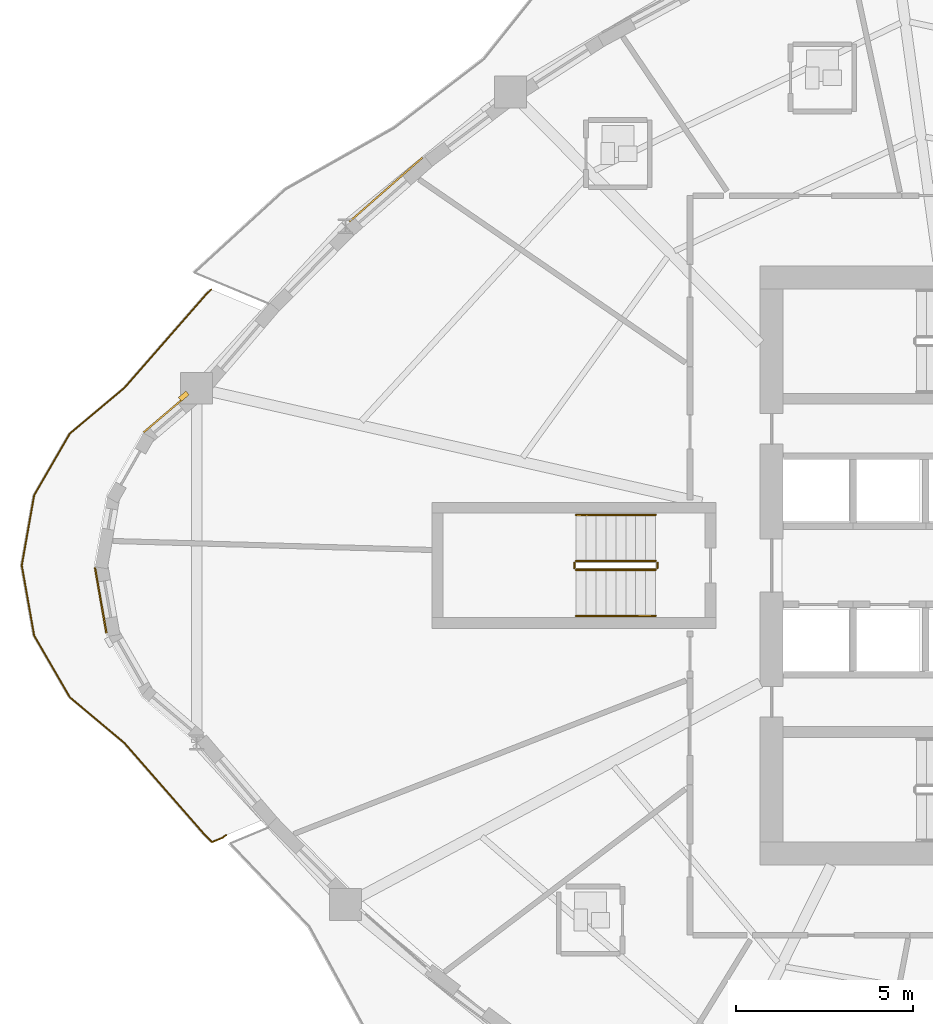
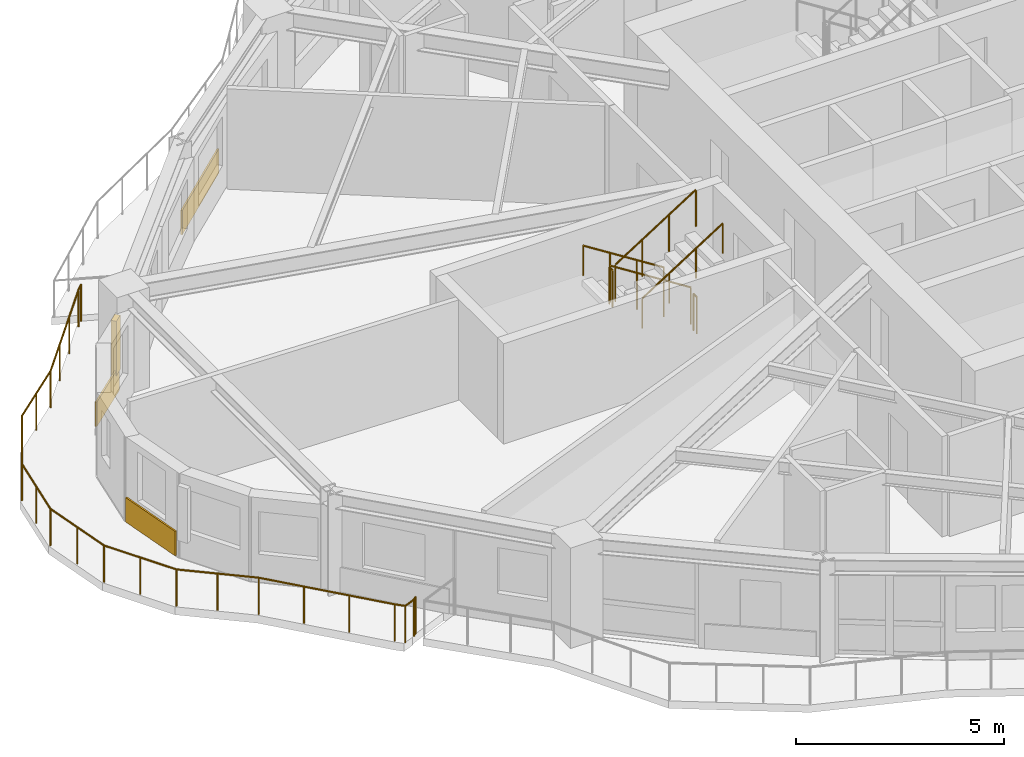
# One storey, part 12 of 15: 7 railings, 3 coverings, 1 shading device.
"""IFC4 building model written with IfcOpenShell, lengths in metres."""

from ifc_helpers import new_model, si_unit, direction, frame, origin, origin_2d, place, context, subcontext, project, spatial, rectangle, circle, extrude, source, transform, mapped, material, layer, layer_set, type_object, element, save


model = new_model("IFC4")

# Units and contexts
model_context = context("Model", 3, precision=1e-05, world=origin(), true_north=direction((0.0, 1.0)))
body_context = subcontext(model_context, "Body", "Model", "MODEL_VIEW")
ifc_project = project(units=[si_unit("LENGTHUNIT", "METRE"), si_unit("AREAUNIT", "SQUARE_METRE"), si_unit("VOLUMEUNIT", "CUBIC_METRE"), si_unit("PLANEANGLEUNIT", "RADIAN"), si_unit("MASSUNIT", "GRAM", prefix="KILO")], contexts=[model_context])

# Site, building, storey
site_placement = place(None, origin())
site = spatial("IfcSite", under=ifc_project, at=site_placement, CompositionType="ELEMENT")
building_placement = place(site_placement, origin())
building = spatial("IfcBuilding", under=site, at=building_placement, Name="Qafzar Sky-Pleat Residences", CompositionType="ELEMENT")
storey_placement = place(building_placement, frame((0.0, 0.0, 70.39990234375)))
storey = spatial("IfcBuildingStorey", under=building, at=storey_placement, Name="L20", CompositionType="ELEMENT", Elevation=70.39990234375)

# Shading device
ifc_material_1 = material(Name="Honed Riyadh limestone solar fin", Category="masonry")
ifc_layer_1 = layer(ifc_material_1, 0.139892578125)
ifc_layer_set_1 = layer_set([ifc_layer_1], Name="Honed Riyadh limestone solar fin")
shading_device_type = type_object("IfcShadingDeviceType", Name="SHD-FIN-STONE", PredefinedType="SHUTTER", material=ifc_layer_set_1)
shared_shape_1 = source(origin(), body_context, "Body", "SweptSolid", [
    extrude(rectangle(XDim=0.139892578125, YDim=0.280029296875, at=origin_2d()), origin(), (0.0, 0.0, 1.0), 1.60009765625),
])
shading_device_placement = place(storey_placement, frame((7.893798828125, 30.773681640625, 0.60009765625), z_axis=(0.0, 0.0, 1.0), x_axis=(-0.648553503037, 0.761169070377, 0.0)))
element("IfcShadingDevice", 1, at=shading_device_placement, inside=storey, type_object=shading_device_type, Name="L20 Limestone Solar Fin 1", PredefinedType="SHUTTER", context=body_context, shape_type="MappedRepresentation", body=[
    mapped(shared_shape_1, transform((0.0, 0.0, 0.0), x_axis=(1.0, 0.0, 0.0), y_axis=(0.0, 1.0, 0.0), z_axis=(0.0, 0.0, 1.0), scale=1.0)),
])

# Railing
ifc_material_2 = material(Name="Laminated glass and bronze steel balustrade", Category="steel")
railing_type_1 = type_object("IfcRailingType", Name="RAIL-BAL-1100", PredefinedType="BALUSTRADE", material=ifc_material_2)
shared_shape_2 = source(origin(), body_context, "Body", "SweptSolid", [
    extrude(circle(Radius=0.02392578125, at=origin_2d()), frame((0.0, 0.0, 1.076171875), z_axis=(-0.904357603074, -0.42677549808, 0.0), x_axis=(0.42677549808, -0.904357603074, 0.0)), (0.0, 0.0, 1.0), 0.02392578125),
    extrude(circle(Radius=0.02392578125, at=origin_2d()), frame((-0.021728515625, -0.01025390625, 1.076171875), z_axis=(-0.853033663852, -0.521855888474, 0.0), x_axis=(0.521855888474, -0.853033663852, 0.0)), (0.0, 0.0, 1.0), 0.0244140625),
    extrude(circle(Radius=0.02392578125, at=origin_2d()), frame((-0.04248046875, -0.02294921875, 1.076171875), z_axis=(-0.809610443394, -0.586967571461, 0.0), x_axis=(0.586967571461, -0.809610443394, 0.0)), (0.0, 0.0, 1.0), 0.024169921875),
    extrude(circle(Radius=0.02392578125, at=origin_2d()), frame((-0.06201171875, -0.037109375, 1.076171875), z_axis=(-0.74129840932, -0.671175586817, 0.0), x_axis=(0.671175586817, -0.74129840932, 0.0)), (0.0, 0.0, 1.0), 0.0244140625),
    extrude(circle(Radius=0.02392578125, at=origin_2d()), frame((-0.080078125, -0.053466796875, 1.076171875), z_axis=(-0.675724628517, -0.737154140201, 0.0), x_axis=(0.737154140201, -0.675724628517, 0.0)), (0.0, 0.0, 1.0), 0.019775390625),
    extrude(circle(Radius=0.02392578125, at=origin_2d()), frame((-0.093505859375, -0.068115234375, 1.076171875), z_axis=(-0.926910604457, -0.375282202276, 0.0), x_axis=(0.375282202276, -0.926910604457, 0.0)), (0.0, 0.0, 1.0), 0.3349609375),
    extrude(circle(Radius=0.02392578125, at=origin_2d()), frame((-0.404052734375, -0.19384765625, 1.076171875), z_axis=(-0.708936284999, 0.705272531588, 0.0), x_axis=(-0.705272531588, -0.708936284999, 0.0)), (0.0, 0.0, 1.0), 0.2666015625),
    extrude(circle(Radius=0.02392578125, at=origin_2d()), frame((-0.593017578125, -0.005859375, 1.076171875), z_axis=(-0.658289629089, 0.752764746939, 0.0), x_axis=(-0.752764746939, -0.658289629089, 0.0)), (0.0, 0.0, 1.0), 3.45751953125),
    extrude(circle(Radius=0.02392578125, at=origin_2d()), frame((-2.869140625, 2.596923828125, 1.076171875), z_axis=(-0.766677089886, 0.642032896232, 0.0), x_axis=(-0.642032896232, -0.766677089886, 0.0)), (0.0, 0.0, 1.0), 2.011474609375),
    extrude(circle(Radius=0.02392578125, at=origin_2d()), frame((-4.411376953125, 3.888427734375, 1.076171875), z_axis=(-0.500682083133, 0.865631244601, 0.0), x_axis=(-0.865631244601, -0.500682083133, 0.0)), (0.0, 0.0, 1.0), 2.010986328125),
    extrude(circle(Radius=0.02392578125, at=origin_2d()), frame((-5.418212890625, 5.629150390625, 1.076171875), z_axis=(-0.173923905282, 0.984759094993, 0.0), x_axis=(-0.984759094993, -0.173923905282, 0.0)), (0.0, 0.0, 1.0), 2.010009765625),
    extrude(circle(Radius=0.02392578125, at=origin_2d()), frame((-5.767822265625, 7.608642578125, 1.076171875), z_axis=(0.173923905282, 0.984759094993, 0.0), x_axis=(-0.984759094993, 0.173923905282, 0.0)), (0.0, 0.0, 1.0), 2.010009765625),
    extrude(circle(Radius=0.02392578125, at=origin_2d()), frame((-5.418212890625, 9.588134765625, 1.076171875), z_axis=(0.500682083133, 0.865631244601, 0.0), x_axis=(-0.865631244601, 0.500682083133, 0.0)), (0.0, 0.0, 1.0), 2.010986328125),
    extrude(circle(Radius=0.02392578125, at=origin_2d()), frame((-4.411376953125, 11.328857421875, 1.076171875), z_axis=(0.766677089886, 0.642032896232, 0.0), x_axis=(-0.642032896232, 0.766677089886, 0.0)), (0.0, 0.0, 1.0), 2.011474609375),
    extrude(circle(Radius=0.02392578125, at=origin_2d()), frame((-2.869140625, 12.620361328125, 1.076171875), z_axis=(0.658289629089, 0.752764746939, 0.0), x_axis=(-0.752764746939, 0.658289629089, 0.0)), (0.0, 0.0, 1.0), 3.45751953125),
    extrude(circle(Radius=0.02392578125, at=origin_2d()), frame((-0.593017578125, 15.22314453125, 1.076171875), z_axis=(0.70862362996, 0.705586671546, 0.0), x_axis=(-0.705586671546, 0.70862362996, 0.0)), (0.0, 0.0, 1.0), 0.2412109375),
    extrude(circle(Radius=0.02099609375, at=origin_2d()), origin(), (0.0, 0.0, 1.0), 1.052001953125),
    extrude(circle(Radius=0.02099609375, at=origin_2d()), frame((-0.021728515625, -0.01025390625, 0.0)), (0.0, 0.0, 1.0), 1.052001953125),
    extrude(circle(Radius=0.02099609375, at=origin_2d()), frame((-0.04248046875, -0.02294921875, 0.0)), (0.0, 0.0, 1.0), 1.052001953125),
    extrude(circle(Radius=0.02099609375, at=origin_2d()), frame((-0.06201171875, -0.037109375, 0.0)), (0.0, 0.0, 1.0), 1.052001953125),
    extrude(circle(Radius=0.02099609375, at=origin_2d()), frame((-0.080078125, -0.053466796875, 0.0)), (0.0, 0.0, 1.0), 1.052001953125),
    extrude(circle(Radius=0.02099609375, at=origin_2d()), frame((-0.093505859375, -0.068115234375, 0.0)), (0.0, 0.0, 1.0), 1.052001953125),
    extrude(circle(Radius=0.02099609375, at=origin_2d()), frame((-0.404052734375, -0.19384765625, 0.0)), (0.0, 0.0, 1.0), 1.052001953125),
    extrude(circle(Radius=0.02099609375, at=origin_2d()), frame((-0.593017578125, -0.005859375, 0.0)), (0.0, 0.0, 1.0), 1.052001953125),
    extrude(circle(Radius=0.02099609375, at=origin_2d()), frame((-1.351806640625, 0.86181640625, 0.0)), (0.0, 0.0, 1.0), 1.052001953125),
    extrude(circle(Radius=0.02099609375, at=origin_2d()), frame((-2.1103515625, 1.729248046875, 0.0)), (0.0, 0.0, 1.0), 1.052001953125),
    extrude(circle(Radius=0.02099609375, at=origin_2d()), frame((-2.869140625, 2.596923828125, 0.0)), (0.0, 0.0, 1.0), 1.052001953125),
    extrude(circle(Radius=0.02099609375, at=origin_2d()), frame((-3.64013671875, 3.24267578125, 0.0)), (0.0, 0.0, 1.0), 1.052001953125),
    extrude(circle(Radius=0.02099609375, at=origin_2d()), frame((-4.411376953125, 3.888427734375, 0.0)), (0.0, 0.0, 1.0), 1.052001953125),
    extrude(circle(Radius=0.02099609375, at=origin_2d()), frame((-4.914794921875, 4.7587890625, 0.0)), (0.0, 0.0, 1.0), 1.052001953125),
    extrude(circle(Radius=0.02099609375, at=origin_2d()), frame((-5.418212890625, 5.629150390625, 0.0)), (0.0, 0.0, 1.0), 1.052001953125),
    extrude(circle(Radius=0.02099609375, at=origin_2d()), frame((-5.593017578125, 6.618896484375, 0.0)), (0.0, 0.0, 1.0), 1.052001953125),
    extrude(circle(Radius=0.02099609375, at=origin_2d()), frame((-5.767822265625, 7.608642578125, 0.0)), (0.0, 0.0, 1.0), 1.052001953125),
    extrude(circle(Radius=0.02099609375, at=origin_2d()), frame((-5.593017578125, 8.598388671875, 0.0)), (0.0, 0.0, 1.0), 1.052001953125),
    extrude(circle(Radius=0.02099609375, at=origin_2d()), frame((-5.418212890625, 9.588134765625, 0.0)), (0.0, 0.0, 1.0), 1.052001953125),
    extrude(circle(Radius=0.02099609375, at=origin_2d()), frame((-4.914794921875, 10.45849609375, 0.0)), (0.0, 0.0, 1.0), 1.052001953125),
    extrude(circle(Radius=0.02099609375, at=origin_2d()), frame((-4.411376953125, 11.328857421875, 0.0)), (0.0, 0.0, 1.0), 1.052001953125),
    extrude(circle(Radius=0.02099609375, at=origin_2d()), frame((-3.64013671875, 11.974609375, 0.0)), (0.0, 0.0, 1.0), 1.052001953125),
    extrude(circle(Radius=0.02099609375, at=origin_2d()), frame((-2.869140625, 12.620361328125, 0.0)), (0.0, 0.0, 1.0), 1.052001953125),
    extrude(circle(Radius=0.02099609375, at=origin_2d()), frame((-2.1103515625, 13.488037109375, 0.0)), (0.0, 0.0, 1.0), 1.052001953125),
    extrude(circle(Radius=0.02099609375, at=origin_2d()), frame((-1.351806640625, 14.35546875, 0.0)), (0.0, 0.0, 1.0), 1.052001953125),
    extrude(circle(Radius=0.02099609375, at=origin_2d()), frame((-0.593017578125, 15.22314453125, 0.0)), (0.0, 0.0, 1.0), 1.052001953125),
    extrude(circle(Radius=0.02099609375, at=origin_2d()), frame((-0.422119140625, 15.393310546875, 0.0)), (0.0, 0.0, 1.0), 1.052001953125),
])
railing_1_placement = place(storey_placement, frame((9.0927734375, 18.391357421875, 0.0)))
element("IfcRailing", 2, at=railing_1_placement, inside=storey, type_object=railing_type_1, Name="L20 Corner Terrace 1 Balustrade", PredefinedType="BALUSTRADE", context=body_context, shape_type="MappedRepresentation", body=[
    mapped(shared_shape_2, transform((0.0, 0.0, 0.0), x_axis=(1.0, 0.0, 0.0), y_axis=(0.0, 1.0, 0.0), z_axis=(0.0, 0.0, 1.0), scale=1.0)),
])

# Coverings
ifc_material_3 = material(Name="Honed Riyadh Tuwaiq limestone cladding", Category="masonry")
ifc_layer_2 = layer(ifc_material_3, 0.044921875)
ifc_layer_set_2 = layer_set([ifc_layer_2], Name="Honed Riyadh Tuwaiq limestone cladding")
covering_type = type_object("IfcCoveringType", Name="COV-CLAD-STONE", PredefinedType="CLADDING", material=ifc_layer_set_2)
shared_shape_3 = source(origin(), body_context, "Body", "SweptSolid", [
    extrude(rectangle(XDim=1.629150390625, YDim=0.044921875, at=origin_2d()), origin(), (0.0, 0.0, 1.0), 0.719970703125),
])
covering_1_placement = place(storey_placement, frame((7.38134765625, 30.280517578125, 0.02001953125), z_axis=(0.0, 0.0, 1.0), x_axis=(-0.761160395249, -0.648563684386, 0.0)))
element("IfcCovering", 3, at=covering_1_placement, inside=storey, type_object=covering_type, Name="L20 Riyadh Limestone Spandrel Cladding 1", PredefinedType="CLADDING", context=body_context, shape_type="MappedRepresentation", body=[
    mapped(shared_shape_3, transform((0.0, 0.0, 0.0), x_axis=(1.0, 0.0, 0.0), y_axis=(0.0, 1.0, 0.0), z_axis=(0.0, 0.0, 1.0), scale=1.0)),
])
shared_shape_4 = source(origin(), body_context, "Body", "SweptSolid", [
    extrude(rectangle(XDim=1.86572265625, YDim=0.044921875, at=origin_2d()), origin(), (0.0, 0.0, 1.0), 0.719970703125),
])
covering_2_placement = place(storey_placement, frame((5.551513671875, 25.0126953125, 0.02001953125), z_axis=(0.0, 0.0, 1.0), x_axis=(0.172161515838, -0.985068734893, 0.0)))
element("IfcCovering", 4, at=covering_2_placement, inside=storey, type_object=covering_type, Name="L20 Riyadh Limestone Spandrel Cladding 4", PredefinedType="CLADDING", context=body_context, shape_type="MappedRepresentation", body=[
    mapped(shared_shape_4, transform((0.0, 0.0, 0.0), x_axis=(1.0, 0.0, 0.0), y_axis=(0.0, 1.0, 0.0), z_axis=(0.0, 0.0, 1.0), scale=1.0)),
])
shared_shape_5 = source(origin(), body_context, "Body", "SweptSolid", [
    extrude(rectangle(XDim=2.734130859375, YDim=0.044921875, at=origin_2d()), origin(), (0.0, 0.0, 1.0), 0.719970703125),
])
covering_3_placement = place(storey_placement, frame((13.593505859375, 36.595703125, 0.02001953125), z_axis=(0.0, 0.0, 1.0), x_axis=(-0.751517441634, -0.659713221725, 0.0)))
element("IfcCovering", 5, at=covering_3_placement, inside=storey, type_object=covering_type, Name="L20 Riyadh Limestone Spandrel Cladding 46", PredefinedType="CLADDING", context=body_context, shape_type="MappedRepresentation", body=[
    mapped(shared_shape_5, transform((0.0, 0.0, 0.0), x_axis=(1.0, 0.0, 0.0), y_axis=(0.0, 1.0, 0.0), z_axis=(0.0, 0.0, 1.0), scale=1.0)),
])

# Railings
ifc_material_4 = material(Name="Painted Steel S355 stair guardrail", Category="steel")
railing_type_2 = type_object("IfcRailingType", Name="RAIL-STAIR-GUARD", PredefinedType="GUARDRAIL", material=ifc_material_4)
shared_shape_6 = source(origin(), body_context, "Body", "SweptSolid", [
    extrude(circle(Radius=0.02392578125, at=origin_2d()), frame((0.0, 0.0, 1.076171875), z_axis=(0.0, -1.0, 0.0), x_axis=(1.0, 0.0, 0.0)), (0.0, 0.0, 1.0), 0.14990234375),
    extrude(circle(Radius=0.02099609375, at=origin_2d()), origin(), (0.0, 0.0, 1.0), 1.052001953125),
    extrude(circle(Radius=0.02099609375, at=origin_2d()), frame((0.0, -0.14990234375, 0.0)), (0.0, 0.0, 1.0), 1.052001953125),
])
for number, where, name in (
    (6, (18.909912109375, 26.074951171875, 1.60009765625), "L20 ST3 stair guard 2"),
    (7, (21.25, 26.074951171875, 0.0), "L20 ST3 stair guard 4"),
):
    element("IfcRailing", number, at=place(storey_placement, frame(where)), inside=storey, type_object=railing_type_2, Name=name, PredefinedType="GUARDRAIL", context=body_context, shape_type="MappedRepresentation", body=[
        mapped(shared_shape_6, transform((0.0, 0.0, 0.0), x_axis=(1.0, 0.0, 0.0), y_axis=(0.0, 1.0, 0.0), z_axis=(0.0, 0.0, 1.0), scale=1.0)),
    ])
shared_shape_7 = source(origin(), body_context, "Body", "SweptSolid", [
    extrude(circle(Radius=0.02392578125, at=origin_2d()), frame((0.0, 0.0, 1.076171875), z_axis=(-0.8442293374, 0.0, 0.53598211339), x_axis=(0.0, -1.0, 0.0)), (0.0, 0.0, 1.0), 2.6533203125),
    extrude(circle(Radius=0.02099609375, at=origin_2d()), origin(), (0.0, 0.0, 1.0), 1.052001953125),
    extrude(circle(Radius=0.02099609375, at=origin_2d()), frame((-0.74658203125, 0.0, 0.47412109375)), (0.0, 0.0, 1.0), 1.052001953125),
    extrude(circle(Radius=0.02099609375, at=origin_2d()), frame((-1.493408203125, 0.0, 0.947998046875)), (0.0, 0.0, 1.0), 1.052001953125),
    extrude(circle(Radius=0.02099609375, at=origin_2d()), frame((-2.239990234375, 0.0, 1.422119140625)), (0.0, 0.0, 1.0), 1.052001953125),
])
railing_2_placement = place(storey_placement, frame((21.199951171875, 26.125, 0.177978515625)))
element("IfcRailing", 8, at=railing_2_placement, inside=storey, type_object=railing_type_2, Name="L20 ST3 stair guard 1", PredefinedType="GUARDRAIL", context=body_context, shape_type="MappedRepresentation", body=[
    mapped(shared_shape_7, transform((0.0, 0.0, 0.0), x_axis=(1.0, 0.0, 0.0), y_axis=(0.0, 1.0, 0.0), z_axis=(0.0, 0.0, 1.0), scale=1.0)),
])
ifc_material_5 = material(Name="Brushed stainless steel handrail", Category="steel")
railing_type_3 = type_object("IfcRailingType", Name="RAIL-STAIR-HAND", PredefinedType="HANDRAIL", material=ifc_material_5)
shared_shape_8 = source(origin(), body_context, "Body", "SweptSolid", [
    extrude(circle(Radius=0.02392578125, at=origin_2d()), frame((0.0, 0.0, 0.8759765625), z_axis=(-0.8442293374, 0.0, 0.53598211339), x_axis=(0.0, -1.0, 0.0)), (0.0, 0.0, 1.0), 2.6533203125),
    extrude(circle(Radius=0.02099609375, at=origin_2d()), origin(), (0.0, 0.0, 1.0), 0.851806640625),
    extrude(circle(Radius=0.02099609375, at=origin_2d()), frame((-0.74658203125, 0.0, 0.47412109375)), (0.0, 0.0, 1.0), 0.851806640625),
    extrude(circle(Radius=0.02099609375, at=origin_2d()), frame((-1.493408203125, 0.0, 0.947998046875)), (0.0, 0.0, 1.0), 0.851806640625),
    extrude(circle(Radius=0.02099609375, at=origin_2d()), frame((-2.239990234375, 0.0, 1.422119140625)), (0.0, 0.0, 1.0), 0.851806640625),
])
railing_3_placement = place(storey_placement, frame((21.199951171875, 27.425048828125, 0.177978515625)))
element("IfcRailing", 9, at=railing_3_placement, inside=storey, type_object=railing_type_3, Name="L20 ST3 stair handrail 1", PredefinedType="HANDRAIL", context=body_context, shape_type="MappedRepresentation", body=[
    mapped(shared_shape_8, transform((0.0, 0.0, 0.0), x_axis=(1.0, 0.0, 0.0), y_axis=(0.0, 1.0, 0.0), z_axis=(0.0, 0.0, 1.0), scale=1.0)),
])
shared_shape_9 = source(origin(), body_context, "Body", "SweptSolid", [
    extrude(circle(Radius=0.02392578125, at=origin_2d()), frame((0.0, 0.0, 1.076171875), z_axis=(0.84418770128, 0.0, 0.536047689118), x_axis=(0.0, 1.0, 0.0)), (0.0, 0.0, 1.0), 2.6533203125),
    extrude(circle(Radius=0.02099609375, at=origin_2d()), origin(), (0.0, 0.0, 1.0), 1.052001953125),
    extrude(circle(Radius=0.02099609375, at=origin_2d()), frame((0.74658203125, 0.0, 0.47412109375)), (0.0, 0.0, 1.0), 1.052001953125),
    extrude(circle(Radius=0.02099609375, at=origin_2d()), frame((1.493408203125, 0.0, 0.9482421875)), (0.0, 0.0, 1.0), 1.052001953125),
    extrude(circle(Radius=0.02099609375, at=origin_2d()), frame((2.239990234375, 0.0, 1.42236328125)), (0.0, 0.0, 1.0), 1.052001953125),
])
railing_4_placement = place(storey_placement, frame((18.9599609375, 25.875, 1.77783203125)))
element("IfcRailing", 10, at=railing_4_placement, inside=storey, type_object=railing_type_2, Name="L20 ST3 stair guard 3", PredefinedType="GUARDRAIL", context=body_context, shape_type="MappedRepresentation", body=[
    mapped(shared_shape_9, transform((0.0, 0.0, 0.0), x_axis=(1.0, 0.0, 0.0), y_axis=(0.0, 1.0, 0.0), z_axis=(0.0, 0.0, 1.0), scale=1.0)),
])
shared_shape_10 = source(origin(), body_context, "Body", "SweptSolid", [
    extrude(circle(Radius=0.02392578125, at=origin_2d()), frame((0.0, 0.0, 0.8759765625), z_axis=(0.84418770128, 0.0, 0.536047689118), x_axis=(0.0, 1.0, 0.0)), (0.0, 0.0, 1.0), 2.6533203125),
    extrude(circle(Radius=0.02099609375, at=origin_2d()), origin(), (0.0, 0.0, 1.0), 0.851806640625),
    extrude(circle(Radius=0.02099609375, at=origin_2d()), frame((0.74658203125, 0.0, 0.47412109375)), (0.0, 0.0, 1.0), 0.851806640625),
    extrude(circle(Radius=0.02099609375, at=origin_2d()), frame((1.493408203125, 0.0, 0.9482421875)), (0.0, 0.0, 1.0), 0.851806640625),
    extrude(circle(Radius=0.02099609375, at=origin_2d()), frame((2.239990234375, 0.0, 1.42236328125)), (0.0, 0.0, 1.0), 0.851806640625),
])
railing_5_placement = place(storey_placement, frame((18.9599609375, 24.574951171875, 1.77783203125)))
element("IfcRailing", 11, at=railing_5_placement, inside=storey, type_object=railing_type_3, Name="L20 ST3 stair handrail 2", PredefinedType="HANDRAIL", context=body_context, shape_type="MappedRepresentation", body=[
    mapped(shared_shape_10, transform((0.0, 0.0, 0.0), x_axis=(1.0, 0.0, 0.0), y_axis=(0.0, 1.0, 0.0), z_axis=(0.0, 0.0, 1.0), scale=1.0)),
])

save(model, "model.ifc")
